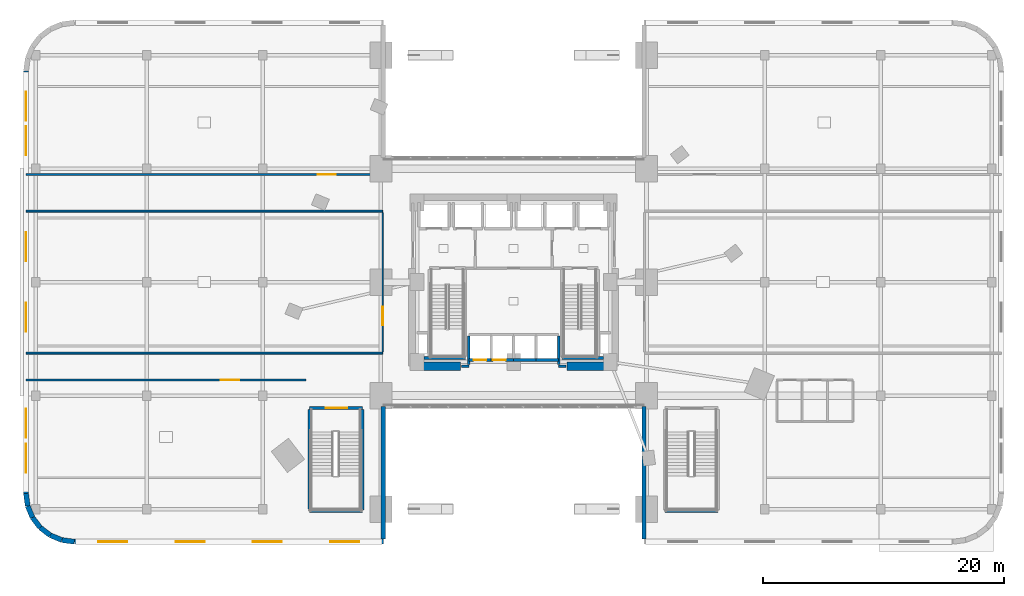
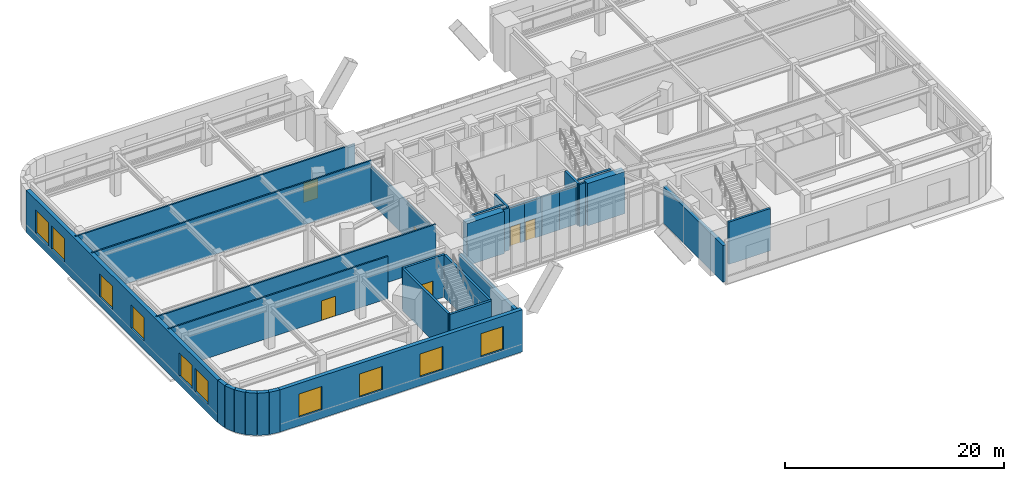
# One storey, part 19 of 26: 32 walls, 10 windows, 6 doors, 16 openings.
"""IFC4 building model written with IfcOpenShell, lengths in metres."""

from ifc_helpers import new_model, si_unit, direction, frame, frame_2d, origin, place, context, subcontext, project, spatial, rectangle, extrude, material, layer, layer_set, type_object, element, fill, save


model = new_model("IFC4")

# Units and contexts
model_context = context("Model", 3, precision=1e-05, world=origin(), true_north=direction((0.0, 1.0)))
body_context = subcontext(model_context, "Body", "Model", "MODEL_VIEW")
ifc_project = project(units=[si_unit("LENGTHUNIT", "METRE"), si_unit("AREAUNIT", "SQUARE_METRE"), si_unit("VOLUMEUNIT", "CUBIC_METRE"), si_unit("PLANEANGLEUNIT", "RADIAN"), si_unit("MASSUNIT", "GRAM", prefix="KILO")], contexts=[model_context])

# Site, building, storey
site_placement = place(None, origin())
site = spatial("IfcSite", under=ifc_project, at=site_placement, CompositionType="ELEMENT")
building_placement = place(site_placement, origin())
building = spatial("IfcBuilding", under=site, at=building_placement, Name="Ndelora Gate Hotel", CompositionType="ELEMENT")
storey_placement = place(building_placement, frame((0.0, 0.0, 6.0)))
storey = spatial("IfcBuildingStorey", under=building, at=storey_placement, Name="L01", CompositionType="ELEMENT", Elevation=6.0)

# Walls
ifc_material_1 = material(Name="Clay Brick Masonry", Category="masonry")
ifc_layer_1 = layer(ifc_material_1, 0.360107421875)
ifc_layer_set_1 = layer_set([ifc_layer_1], Name="Clay Brick Masonry")
wall_type_1 = type_object("IfcWallType", Name="WL-BRICK-360", PredefinedType="SOLIDWALL", material=ifc_layer_set_1)
for number, where, z_axis, x_axis, name in (
    (1, (-10.800048828125, -21.2900390625, 0.0), (0.0, 0.0, 1.0), (0.0, 1.0, 0.0), "L01 Portal Arch Brick Return Wall SW-RET"),
    (2, (10.800048828125, -10.320068359375, 0.0), (0.0, 0.0, 1.0), (0.0, -1.0, 0.0), "L01 Portal Arch Brick Return Wall SE-RET"),
):
    element("IfcWall", number, at=place(storey_placement, frame(where, z_axis=z_axis, x_axis=x_axis)), inside=storey, type_object=wall_type_1, Name=name, PredefinedType="SOLIDWALL", context=body_context, shape_type="SweptSolid", body=[
        extrude(rectangle(XDim=10.969970703125, YDim=0.360107421875, at=frame_2d((5.48486328125, 0.0))), origin(), (0.0, 0.0, 1.0), 4.10009765625),
    ])

# Wall, openings, windows
ifc_layer_2 = layer(ifc_material_1, 0.419921875)
ifc_layer_set_2 = layer_set([ifc_layer_2], Name="Clay Brick Masonry")
wall_type_2 = type_object("IfcWallType", Name="WL-BRICK-420", PredefinedType="SOLIDWALL", material=ifc_layer_set_2)
wall_1_placement = place(storey_placement, frame((-40.39990234375, -17.5, 0.0), z_axis=(0.0, 0.0, 1.0), x_axis=(0.0, 1.0, 0.0)))
wall_1 = element("IfcWall", 3, at=wall_1_placement, inside=storey, type_object=wall_type_2, Name="L01 Exterior Brick Pier-and-Spandrel Wall 22", PredefinedType="SOLIDWALL", context=body_context, shape_type="SweptSolid", body=[
    extrude(rectangle(XDim=35.0, YDim=0.419921875, at=frame_2d((17.5, 0.0))), origin(), (0.0, 0.0, 1.0), 4.719970703125),
])
opening_1_placement = place(wall_1_placement, frame((1.716796875, 0.0, 0.949951171875)))
opening_1 = element("IfcOpeningElement", 4, at=opening_1_placement, cuts=wall_1, Name="Opening W04", PredefinedType="OPENING", context=body_context, shape_type="SweptSolid", body=[
    extrude(rectangle(XDim=2.39990234375, YDim=2.60009765625, at=frame_2d((1.199951171875, 1.300048828125))), frame((0.0, 0.219970703125, 0.0), z_axis=(0.0, -1.0, 0.0), x_axis=(1.0, 0.0, 0.0)), (0.0, 0.0, 1.0), 0.43994140625),
])
opening_2_placement = place(wall_1_placement, frame((4.60009765625, 0.0, 0.949951171875)))
opening_2 = element("IfcOpeningElement", 5, at=opening_2_placement, cuts=wall_1, Name="Opening W04", PredefinedType="OPENING", context=body_context, shape_type="SweptSolid", body=[
    extrude(rectangle(XDim=2.39990234375, YDim=2.60009765625, at=frame_2d((1.199951171875, 1.300048828125))), frame((0.0, 0.219970703125, 0.0), z_axis=(0.0, -1.0, 0.0), x_axis=(1.0, 0.0, 0.0)), (0.0, 0.0, 1.0), 0.43994140625),
])
opening_3_placement = place(wall_1_placement, frame((13.38330078125, 0.0, 0.949951171875)))
opening_3 = element("IfcOpeningElement", 6, at=opening_3_placement, cuts=wall_1, Name="Opening W04", PredefinedType="OPENING", context=body_context, shape_type="SweptSolid", body=[
    extrude(rectangle(XDim=2.39990234375, YDim=2.60009765625, at=frame_2d((1.199951171875, 1.300048828125))), frame((0.0, 0.219970703125, 0.0), z_axis=(0.0, -1.0, 0.0), x_axis=(1.0, 0.0, 0.0)), (0.0, 0.0, 1.0), 0.43994140625),
])
opening_4_placement = place(wall_1_placement, frame((19.216796875, 0.0, 0.949951171875)))
opening_4 = element("IfcOpeningElement", 7, at=opening_4_placement, cuts=wall_1, Name="Opening W04", PredefinedType="OPENING", context=body_context, shape_type="SweptSolid", body=[
    extrude(rectangle(XDim=2.39990234375, YDim=2.60009765625, at=frame_2d((1.199951171875, 1.300048828125))), frame((0.0, 0.219970703125, 0.0), z_axis=(0.0, -1.0, 0.0), x_axis=(1.0, 0.0, 0.0)), (0.0, 0.0, 1.0), 0.43994140625),
])
opening_5_placement = place(wall_1_placement, frame((28.0, 0.0, 0.949951171875)))
opening_5 = element("IfcOpeningElement", 8, at=opening_5_placement, cuts=wall_1, Name="Opening W04", PredefinedType="OPENING", context=body_context, shape_type="SweptSolid", body=[
    extrude(rectangle(XDim=2.39990234375, YDim=2.60009765625, at=frame_2d((1.199951171875, 1.300048828125))), frame((0.0, 0.219970703125, 0.0), z_axis=(0.0, -1.0, 0.0), x_axis=(1.0, 0.0, 0.0)), (0.0, 0.0, 1.0), 0.43994140625),
])
opening_6_placement = place(wall_1_placement, frame((30.88330078125, 0.0, 0.949951171875)))
opening_6 = element("IfcOpeningElement", 9, at=opening_6_placement, cuts=wall_1, Name="Opening W04", PredefinedType="OPENING", context=body_context, shape_type="SweptSolid", body=[
    extrude(rectangle(XDim=2.39990234375, YDim=2.60009765625, at=frame_2d((1.199951171875, 1.300048828125))), frame((0.0, 0.219970703125, 0.0), z_axis=(0.0, -1.0, 0.0), x_axis=(1.0, 0.0, 0.0)), (0.0, 0.0, 1.0), 0.43994140625),
])
ifc_material_2 = material(Name="Insulated Low-E Double Glazing in Bronze Aluminium Frame", Category="aluminium")
window_type = type_object("IfcWindowType", Name="WN-POD-2400", PartitioningType="SINGLE_PANEL", PredefinedType="WINDOW", material=ifc_material_2)
window_1_placement = place(opening_1_placement, origin())
window_1 = element("IfcWindow", 10, at=window_1_placement, inside=storey, type_object=window_type, Name="L01 Deep-Set Podium Brick-Frame Window W04", OverallHeight=2.60009765625, OverallWidth=2.39990234375, PartitioningType="SINGLE_PANEL", PredefinedType="WINDOW", context=body_context, shape_type="SweptSolid", body=[
    extrude(rectangle(XDim=2.39990234375, YDim=2.60009765625, at=frame_2d((1.199951171875, 1.300048828125))), frame((0.0, 0.030029296875, 0.0), z_axis=(0.0, -1.0, 0.0), x_axis=(1.0, 0.0, 0.0)), (0.0, 0.0, 1.0), 0.06005859375),
])
fill(opening_1, window_1)
window_2_placement = place(opening_2_placement, origin())
window_2 = element("IfcWindow", 11, at=window_2_placement, inside=storey, type_object=window_type, Name="L01 Deep-Set Podium Brick-Frame Window W04", OverallHeight=2.60009765625, OverallWidth=2.39990234375, PartitioningType="SINGLE_PANEL", PredefinedType="WINDOW", context=body_context, shape_type="SweptSolid", body=[
    extrude(rectangle(XDim=2.39990234375, YDim=2.60009765625, at=frame_2d((1.199951171875, 1.300048828125))), frame((0.0, 0.030029296875, 0.0), z_axis=(0.0, -1.0, 0.0), x_axis=(1.0, 0.0, 0.0)), (0.0, 0.0, 1.0), 0.06005859375),
])
fill(opening_2, window_2)
window_3_placement = place(opening_3_placement, origin())
window_3 = element("IfcWindow", 12, at=window_3_placement, inside=storey, type_object=window_type, Name="L01 Deep-Set Podium Brick-Frame Window W04", OverallHeight=2.60009765625, OverallWidth=2.39990234375, PartitioningType="SINGLE_PANEL", PredefinedType="WINDOW", context=body_context, shape_type="SweptSolid", body=[
    extrude(rectangle(XDim=2.39990234375, YDim=2.60009765625, at=frame_2d((1.199951171875, 1.300048828125))), frame((0.0, 0.030029296875, 0.0), z_axis=(0.0, -1.0, 0.0), x_axis=(1.0, 0.0, 0.0)), (0.0, 0.0, 1.0), 0.06005859375),
])
fill(opening_3, window_3)
window_4_placement = place(opening_4_placement, origin())
window_4 = element("IfcWindow", 13, at=window_4_placement, inside=storey, type_object=window_type, Name="L01 Deep-Set Podium Brick-Frame Window W04", OverallHeight=2.60009765625, OverallWidth=2.39990234375, PartitioningType="SINGLE_PANEL", PredefinedType="WINDOW", context=body_context, shape_type="SweptSolid", body=[
    extrude(rectangle(XDim=2.39990234375, YDim=2.60009765625, at=frame_2d((1.199951171875, 1.300048828125))), frame((0.0, 0.030029296875, 0.0), z_axis=(0.0, -1.0, 0.0), x_axis=(1.0, 0.0, 0.0)), (0.0, 0.0, 1.0), 0.06005859375),
])
fill(opening_4, window_4)
window_5_placement = place(opening_5_placement, origin())
window_5 = element("IfcWindow", 14, at=window_5_placement, inside=storey, type_object=window_type, Name="L01 Deep-Set Podium Brick-Frame Window W04", OverallHeight=2.60009765625, OverallWidth=2.39990234375, PartitioningType="SINGLE_PANEL", PredefinedType="WINDOW", context=body_context, shape_type="SweptSolid", body=[
    extrude(rectangle(XDim=2.39990234375, YDim=2.60009765625, at=frame_2d((1.199951171875, 1.300048828125))), frame((0.0, 0.030029296875, 0.0), z_axis=(0.0, -1.0, 0.0), x_axis=(1.0, 0.0, 0.0)), (0.0, 0.0, 1.0), 0.06005859375),
])
fill(opening_5, window_5)
window_6_placement = place(opening_6_placement, origin())
window_6 = element("IfcWindow", 15, at=window_6_placement, inside=storey, type_object=window_type, Name="L01 Deep-Set Podium Brick-Frame Window W04", OverallHeight=2.60009765625, OverallWidth=2.39990234375, PartitioningType="SINGLE_PANEL", PredefinedType="WINDOW", context=body_context, shape_type="SweptSolid", body=[
    extrude(rectangle(XDim=2.39990234375, YDim=2.60009765625, at=frame_2d((1.199951171875, 1.300048828125))), frame((0.0, 0.030029296875, 0.0), z_axis=(0.0, -1.0, 0.0), x_axis=(1.0, 0.0, 0.0)), (0.0, 0.0, 1.0), 0.06005859375),
])
fill(opening_6, window_6)

# Walls
wall_2_placement = place(storey_placement, frame((-40.263671875, -18.535400390625, 0.0), z_axis=(0.0, 0.0, 1.0), x_axis=(-0.130448465198, 0.991455091231, 0.0)))
element("IfcWall", 16, at=wall_2_placement, inside=storey, type_object=wall_type_2, Name="L01 Exterior Brick Pier-and-Spandrel Wall 23", PredefinedType="SOLIDWALL", context=body_context, shape_type="SweptSolid", body=[
    extrude(rectangle(XDim=1.04443359375, YDim=0.419921875, at=frame_2d((0.522216796875, 0.0))), origin(), (0.0, 0.0, 1.0), 4.719970703125),
])
wall_3_placement = place(storey_placement, frame((-39.864013671875, -19.5, 0.0), z_axis=(0.0, 0.0, 1.0), x_axis=(-0.382771688877, 0.923842970528, 0.0)))
element("IfcWall", 17, at=wall_3_placement, inside=storey, type_object=wall_type_2, Name="L01 Exterior Brick Pier-and-Spandrel Wall 24", PredefinedType="SOLIDWALL", context=body_context, shape_type="SweptSolid", body=[
    extrude(rectangle(XDim=1.044189453125, YDim=0.419921875, at=frame_2d((0.52197265625, 0.0))), origin(), (0.0, 0.0, 1.0), 4.719970703125),
])
wall_4_placement = place(storey_placement, frame((-39.228515625, -20.328369140625, 0.0), z_axis=(0.0, 0.0, 1.0), x_axis=(-0.608681879412, 0.793414374508, 0.0)))
element("IfcWall", 18, at=wall_4_placement, inside=storey, type_object=wall_type_2, Name="L01 Exterior Brick Pier-and-Spandrel Wall 25", PredefinedType="SOLIDWALL", context=body_context, shape_type="SweptSolid", body=[
    extrude(rectangle(XDim=1.0439453125, YDim=0.419921875, at=frame_2d((0.52197265625, 0.0))), origin(), (0.0, 0.0, 1.0), 4.719970703125),
])
wall_5_placement = place(storey_placement, frame((-38.39990234375, -20.964111328125, 0.0), z_axis=(0.0, 0.0, 1.0), x_axis=(-0.793388088797, 0.608716141198, 0.0)))
element("IfcWall", 19, at=wall_5_placement, inside=storey, type_object=wall_type_2, Name="L01 Exterior Brick Pier-and-Spandrel Wall 26", PredefinedType="SOLIDWALL", context=body_context, shape_type="SweptSolid", body=[
    extrude(rectangle(XDim=1.04443359375, YDim=0.419921875, at=frame_2d((0.522216796875, 0.0))), origin(), (0.0, 0.0, 1.0), 4.719970703125),
])
wall_6_placement = place(storey_placement, frame((-37.435302734375, -21.36376953125, 0.0), z_axis=(0.0, 0.0, 1.0), x_axis=(-0.923842970528, 0.382771688877, 0.0)))
element("IfcWall", 20, at=wall_6_placement, inside=storey, type_object=wall_type_2, Name="L01 Exterior Brick Pier-and-Spandrel Wall 27", PredefinedType="SOLIDWALL", context=body_context, shape_type="SweptSolid", body=[
    extrude(rectangle(XDim=1.044189453125, YDim=0.419921875, at=frame_2d((0.52197265625, 0.0))), origin(), (0.0, 0.0, 1.0), 4.719970703125),
])
wall_7_placement = place(storey_placement, frame((-36.39990234375, -21.5, 0.0), z_axis=(0.0, 0.0, 1.0), x_axis=(-0.991455091231, 0.130448465198, 0.0)))
element("IfcWall", 21, at=wall_7_placement, inside=storey, type_object=wall_type_2, Name="L01 Exterior Brick Pier-and-Spandrel Wall 28", PredefinedType="SOLIDWALL", context=body_context, shape_type="SweptSolid", body=[
    extrude(rectangle(XDim=1.04443359375, YDim=0.419921875, at=frame_2d((0.522216796875, 0.0))), origin(), (0.0, 0.0, 1.0), 4.719970703125),
])

# Wall, openings, windows
wall_8_placement = place(storey_placement, frame((-10.800048828125, -21.5, 0.0), z_axis=(0.0, 0.0, 1.0), x_axis=(-1.0, 0.0, 0.0)))
wall_8 = element("IfcWall", 22, at=wall_8_placement, inside=storey, type_object=wall_type_2, Name="L01 Exterior Brick Pier-and-Spandrel Wall 29", PredefinedType="SOLIDWALL", context=body_context, shape_type="SweptSolid", body=[
    extrude(rectangle(XDim=25.599853515625, YDim=0.419921875, at=frame_2d((12.7998046875, 0.0))), origin(), (0.0, 0.0, 1.0), 4.719970703125),
])
opening_7_placement = place(wall_8_placement, frame((2.0, 0.0, 0.949951171875)))
opening_7 = element("IfcOpeningElement", 23, at=opening_7_placement, cuts=wall_8, Name="Opening W04", PredefinedType="OPENING", context=body_context, shape_type="SweptSolid", body=[
    extrude(rectangle(XDim=2.39990234375, YDim=2.60009765625, at=frame_2d((1.199951171875, 1.300048828125))), frame((0.0, 0.219970703125, 0.0), z_axis=(0.0, -1.0, 0.0), x_axis=(1.0, 0.0, 0.0)), (0.0, 0.0, 1.0), 0.43994140625),
])
opening_8_placement = place(wall_8_placement, frame((8.39990234375, 0.0, 0.949951171875)))
opening_8 = element("IfcOpeningElement", 24, at=opening_8_placement, cuts=wall_8, Name="Opening W04", PredefinedType="OPENING", context=body_context, shape_type="SweptSolid", body=[
    extrude(rectangle(XDim=2.39990234375, YDim=2.60009765625, at=frame_2d((1.199951171875, 1.300048828125))), frame((0.0, 0.219970703125, 0.0), z_axis=(0.0, -1.0, 0.0), x_axis=(1.0, 0.0, 0.0)), (0.0, 0.0, 1.0), 0.43994140625),
])
opening_9_placement = place(wall_8_placement, frame((14.800048828125, 0.0, 0.949951171875)))
opening_9 = element("IfcOpeningElement", 25, at=opening_9_placement, cuts=wall_8, Name="Opening W04", PredefinedType="OPENING", context=body_context, shape_type="SweptSolid", body=[
    extrude(rectangle(XDim=2.39990234375, YDim=2.60009765625, at=frame_2d((1.199951171875, 1.300048828125))), frame((0.0, 0.219970703125, 0.0), z_axis=(0.0, -1.0, 0.0), x_axis=(1.0, 0.0, 0.0)), (0.0, 0.0, 1.0), 0.43994140625),
])
opening_10_placement = place(wall_8_placement, frame((21.199951171875, 0.0, 0.949951171875)))
opening_10 = element("IfcOpeningElement", 26, at=opening_10_placement, cuts=wall_8, Name="Opening W04", PredefinedType="OPENING", context=body_context, shape_type="SweptSolid", body=[
    extrude(rectangle(XDim=2.39990234375, YDim=2.60009765625, at=frame_2d((1.199951171875, 1.300048828125))), frame((0.0, 0.219970703125, 0.0), z_axis=(0.0, -1.0, 0.0), x_axis=(1.0, 0.0, 0.0)), (0.0, 0.0, 1.0), 0.43994140625),
])
window_7_placement = place(opening_7_placement, origin())
window_7 = element("IfcWindow", 27, at=window_7_placement, inside=storey, type_object=window_type, Name="L01 Deep-Set Podium Brick-Frame Window W04", OverallHeight=2.60009765625, OverallWidth=2.39990234375, PartitioningType="SINGLE_PANEL", PredefinedType="WINDOW", context=body_context, shape_type="SweptSolid", body=[
    extrude(rectangle(XDim=2.39990234375, YDim=2.60009765625, at=frame_2d((1.199951171875, 1.300048828125))), frame((0.0, 0.030029296875, 0.0), z_axis=(0.0, -1.0, 0.0), x_axis=(1.0, 0.0, 0.0)), (0.0, 0.0, 1.0), 0.06005859375),
])
fill(opening_7, window_7)
window_8_placement = place(opening_8_placement, origin())
window_8 = element("IfcWindow", 28, at=window_8_placement, inside=storey, type_object=window_type, Name="L01 Deep-Set Podium Brick-Frame Window W04", OverallHeight=2.60009765625, OverallWidth=2.39990234375, PartitioningType="SINGLE_PANEL", PredefinedType="WINDOW", context=body_context, shape_type="SweptSolid", body=[
    extrude(rectangle(XDim=2.39990234375, YDim=2.60009765625, at=frame_2d((1.199951171875, 1.300048828125))), frame((0.0, 0.030029296875, 0.0), z_axis=(0.0, -1.0, 0.0), x_axis=(1.0, 0.0, 0.0)), (0.0, 0.0, 1.0), 0.06005859375),
])
fill(opening_8, window_8)
window_9_placement = place(opening_9_placement, origin())
window_9 = element("IfcWindow", 29, at=window_9_placement, inside=storey, type_object=window_type, Name="L01 Deep-Set Podium Brick-Frame Window W04", OverallHeight=2.60009765625, OverallWidth=2.39990234375, PartitioningType="SINGLE_PANEL", PredefinedType="WINDOW", context=body_context, shape_type="SweptSolid", body=[
    extrude(rectangle(XDim=2.39990234375, YDim=2.60009765625, at=frame_2d((1.199951171875, 1.300048828125))), frame((0.0, 0.030029296875, 0.0), z_axis=(0.0, -1.0, 0.0), x_axis=(1.0, 0.0, 0.0)), (0.0, 0.0, 1.0), 0.06005859375),
])
fill(opening_9, window_9)
window_10_placement = place(opening_10_placement, origin())
window_10 = element("IfcWindow", 30, at=window_10_placement, inside=storey, type_object=window_type, Name="L01 Deep-Set Podium Brick-Frame Window W04", OverallHeight=2.60009765625, OverallWidth=2.39990234375, PartitioningType="SINGLE_PANEL", PredefinedType="WINDOW", context=body_context, shape_type="SweptSolid", body=[
    extrude(rectangle(XDim=2.39990234375, YDim=2.60009765625, at=frame_2d((1.199951171875, 1.300048828125))), frame((0.0, 0.030029296875, 0.0), z_axis=(0.0, -1.0, 0.0), x_axis=(1.0, 0.0, 0.0)), (0.0, 0.0, 1.0), 0.06005859375),
])
fill(opening_10, window_10)

# Walls
ifc_material_3 = material(Name="Concrete C60/75", Category="concrete")
ifc_layer_3 = layer(ifc_material_3, 0.699951171875)
ifc_layer_set_3 = layer_set([ifc_layer_3], Name="Concrete C60/75")
wall_type_3 = type_object("IfcWallType", Name="WL-CORE-700", PredefinedType="SHEAR", material=ifc_layer_set_3)
for number, where, z_axis, x_axis, name in (
    (31, (-8.35009765625, -6.949951171875, 0.0), (0.0, 0.0, 1.0), (1.0, 0.0, 0.0), "L01 Core Shear Wall S-W"),
    (32, (4.39990234375, -6.949951171875, 0.0), (0.0, 0.0, 1.0), (1.0, 0.0, 0.0), "L01 Core Shear Wall S-E"),
):
    element("IfcWall", number, at=place(storey_placement, frame(where, z_axis=z_axis, x_axis=x_axis)), inside=storey, type_object=wall_type_3, Name=name, PredefinedType="SHEAR", context=body_context, shape_type="SweptSolid", body=[
        extrude(rectangle(XDim=3.9501953125, YDim=0.699951171875, at=frame_2d((1.97509765625, 0.0))), origin(), (0.0, 0.0, 1.0), 4.719970703125),
    ])
ifc_material_4 = material(Name="Concrete C40/50", Category="concrete")
ifc_layer_4 = layer(ifc_material_4, 0.199951171875)
ifc_layer_set_4 = layer_set([ifc_layer_4], Name="Concrete C40/50")
wall_type_4 = type_object("IfcWallType", Name="WL-FIRE-200", PredefinedType="PARTITIONING", material=ifc_layer_set_4)
for number, where, z_axis, x_axis, name in (
    (33, (-4.320068359375, -6.949951171875, 0.0), (0.0, 0.0, 1.0), (1.0, 0.0, 0.0), "L01 Interior Wall IW-2"),
    (34, (3.719970703125, -6.949951171875, 0.0), (0.0, 0.0, 1.0), (1.0, 0.0, 0.0), "L01 Interior Wall IW-2"),
):
    element("IfcWall", number, at=place(storey_placement, frame(where, z_axis=z_axis, x_axis=x_axis)), inside=storey, type_object=wall_type_4, Name=name, PredefinedType="PARTITIONING", context=body_context, shape_type="SweptSolid", body=[
        extrude(rectangle(XDim=0.60009765625, YDim=0.199951171875, at=frame_2d((0.300048828125, 0.0))), origin(), (0.0, 0.0, 1.0), 4.719970703125),
    ])
ifc_material_5 = material(Name="Fire-Rated Gypsum Stud Partition", Category="gypsum")
ifc_layer_5 = layer(ifc_material_5, 0.159912109375)
ifc_layer_set_5 = layer_set([ifc_layer_5], Name="Fire-Rated Gypsum Stud Partition")
wall_type_5 = type_object("IfcWallType", Name="WL-PART-160", PredefinedType="PARTITIONING", material=ifc_layer_set_5)
for number, where, z_axis, x_axis, name in (
    (35, (-10.85009765625, 5.8798828125, 0.0), (0.0, 0.0, 1.0), (-1.0, 0.0, 0.0), "L01 Interior Wall IW-4"),
    (36, (-40.39990234375, -5.8798828125, 0.0), (0.0, 0.0, 1.0), (1.0, 0.0, 0.0), "L01 Interior Wall IW-4"),
):
    element("IfcWall", number, at=place(storey_placement, frame(where, z_axis=z_axis, x_axis=x_axis)), inside=storey, type_object=wall_type_5, Name=name, PredefinedType="PARTITIONING", context=body_context, shape_type="SweptSolid", body=[
        extrude(rectangle(XDim=29.5498046875, YDim=0.159912109375, at=frame_2d((14.77490234375, 0.0))), origin(), (0.0, 0.0, 1.0), 4.719970703125),
    ])

# Wall, opening, door
wall_9_placement = place(storey_placement, frame((-10.85009765625, -5.780029296875, 0.0), z_axis=(0.0, 0.0, 1.0), x_axis=(0.0, 1.0, 0.0)))
wall_9 = element("IfcWall", 37, at=wall_9_placement, inside=storey, type_object=wall_type_5, Name="L01 Interior Wall IW-4", PredefinedType="PARTITIONING", context=body_context, shape_type="SweptSolid", body=[
    extrude(rectangle(XDim=11.56005859375, YDim=0.159912109375, at=frame_2d((5.780029296875, 0.0))), origin(), (0.0, 0.0, 1.0), 4.10009765625),
])
opening_11_placement = place(wall_9_placement, frame((2.22998046875, 0.0, 0.0)))
opening_11 = element("IfcOpeningElement", 38, at=opening_11_placement, cuts=wall_9, Name="Opening D06", PredefinedType="OPENING", context=body_context, shape_type="SweptSolid", body=[
    extrude(rectangle(XDim=1.5, YDim=2.199951171875, at=frame_2d((0.75, 1.10009765625))), frame((0.0, 0.08984375, 0.0), z_axis=(0.0, -1.0, 0.0), x_axis=(1.0, 0.0, 0.0)), (0.0, 0.0, 1.0), 0.179931640625),
])
ifc_material_6 = material(Name="Podium Salon Double Leaf Door", Category="wood")
door_type_1 = type_object("IfcDoorType", Name="DR-POD-1500", OperationType="DOUBLE_DOOR_SINGLE_SWING", PredefinedType="DOOR", material=ifc_material_6)
door_1_placement = place(opening_11_placement, origin())
door_1 = element("IfcDoor", 39, at=door_1_placement, inside=storey, type_object=door_type_1, Name="L01 Portal Arch Mezzanine Salon Door", OperationType="DOUBLE_DOOR_SINGLE_SWING", OverallHeight=2.199951171875, OverallWidth=1.5, PredefinedType="DOOR", context=body_context, shape_type="SweptSolid", body=[
    extrude(rectangle(XDim=1.5, YDim=2.199951171875, at=frame_2d((0.75, 1.10009765625))), frame((0.0, 0.02490234375, 0.0), z_axis=(0.0, -1.0, 0.0), x_axis=(1.0, 0.0, 0.0)), (0.0, 0.0, 1.0), 0.050048828125),
])
fill(opening_11, door_1)

wall_10_placement = place(storey_placement, frame((-40.39990234375, 8.919921875, 0.0), z_axis=(0.0, 0.0, 1.0), x_axis=(1.0, 0.0, 0.0)))
wall_10 = element("IfcWall", 40, at=wall_10_placement, inside=storey, type_object=wall_type_5, Name="L01 Interior Wall IW-4", PredefinedType="PARTITIONING", context=body_context, shape_type="SweptSolid", body=[
    extrude(rectangle(XDim=29.5498046875, YDim=0.159912109375, at=frame_2d((14.77490234375, 0.0))), origin(), (0.0, 0.0, 1.0), 4.719970703125),
])
opening_12_placement = place(wall_10_placement, frame((24.14990234375, 0.0, 0.0)))
opening_12 = element("IfcOpeningElement", 41, at=opening_12_placement, cuts=wall_10, Name="Opening D06", PredefinedType="OPENING", context=body_context, shape_type="SweptSolid", body=[
    extrude(rectangle(XDim=1.5, YDim=2.199951171875, at=frame_2d((0.75, 1.10009765625))), frame((0.0, 0.08984375, 0.0), z_axis=(0.0, -1.0, 0.0), x_axis=(1.0, 0.0, 0.0)), (0.0, 0.0, 1.0), 0.179931640625),
])
door_2_placement = place(opening_12_placement, origin())
door_2 = element("IfcDoor", 42, at=door_2_placement, inside=storey, type_object=door_type_1, Name="L01 North-West Reading Library Door", OperationType="DOUBLE_DOOR_SINGLE_SWING", OverallHeight=2.199951171875, OverallWidth=1.5, PredefinedType="DOOR", context=body_context, shape_type="SweptSolid", body=[
    extrude(rectangle(XDim=1.5, YDim=2.199951171875, at=frame_2d((0.75, 1.10009765625))), frame((0.0, 0.02490234375, 0.0), z_axis=(0.0, -1.0, 0.0), x_axis=(1.0, 0.0, 0.0)), (0.0, 0.0, 1.0), 0.050048828125),
])
fill(opening_12, door_2)

wall_11_placement = place(storey_placement, frame((-17.199951171875, -8.1201171875, 0.0), z_axis=(0.0, 0.0, 1.0), x_axis=(-1.0, 0.0, 0.0)))
wall_11 = element("IfcWall", 43, at=wall_11_placement, inside=storey, type_object=wall_type_5, Name="L01 Interior Wall IW-4", PredefinedType="PARTITIONING", context=body_context, shape_type="SweptSolid", body=[
    extrude(rectangle(XDim=23.199951171875, YDim=0.159912109375, at=frame_2d((11.60009765625, 0.0))), origin(), (0.0, 0.0, 1.0), 4.719970703125),
])
opening_13_placement = place(wall_11_placement, frame((5.550048828125, 0.0, 0.0)))
opening_13 = element("IfcOpeningElement", 44, at=opening_13_placement, cuts=wall_11, Name="Opening D06", PredefinedType="OPENING", context=body_context, shape_type="SweptSolid", body=[
    extrude(rectangle(XDim=1.5, YDim=2.199951171875, at=frame_2d((0.75, 1.10009765625))), frame((0.0, 0.08984375, 0.0), z_axis=(0.0, -1.0, 0.0), x_axis=(1.0, 0.0, 0.0)), (0.0, 0.0, 1.0), 0.179931640625),
])
door_3_placement = place(opening_13_placement, origin())
door_3 = element("IfcDoor", 45, at=door_3_placement, inside=storey, type_object=door_type_1, Name="L01 West Mezzanine VIP Dining Room Door", OperationType="DOUBLE_DOOR_SINGLE_SWING", OverallHeight=2.199951171875, OverallWidth=1.5, PredefinedType="DOOR", context=body_context, shape_type="SweptSolid", body=[
    extrude(rectangle(XDim=1.5, YDim=2.199951171875, at=frame_2d((0.75, 1.10009765625))), frame((0.0, 0.02490234375, 0.0), z_axis=(0.0, -1.0, 0.0), x_axis=(1.0, 0.0, 0.0)), (0.0, 0.0, 1.0), 0.050048828125),
])
fill(opening_13, door_3)

ifc_layer_6 = layer(ifc_material_4, 0.219970703125)
ifc_layer_set_6 = layer_set([ifc_layer_6], Name="Concrete C40/50")
wall_type_6 = type_object("IfcWallType", Name="WL-SHAFT-220", PredefinedType="PARTITIONING", material=ifc_layer_set_6)
wall_12_placement = place(storey_placement, frame((-3.719970703125, -6.449951171875, 0.0), z_axis=(0.0, 0.0, 1.0), x_axis=(1.0, 0.0, 0.0)))
wall_12 = element("IfcWall", 46, at=wall_12_placement, inside=storey, type_object=wall_type_6, Name="L01 Interior Wall IW-1", PredefinedType="PARTITIONING", context=body_context, shape_type="SweptSolid", body=[
    extrude(rectangle(XDim=1.85986328125, YDim=0.219970703125, at=frame_2d((0.929931640625, 0.0))), origin(), (0.0, 0.0, 1.0), 4.300048828125),
])
opening_14_placement = place(wall_12_placement, frame((0.39990234375, 0.0, 0.0)))
opening_14 = element("IfcOpeningElement", 47, at=opening_14_placement, cuts=wall_12, Name="Opening LD1", PredefinedType="OPENING", context=body_context, shape_type="SweptSolid", body=[
    extrude(rectangle(XDim=1.06005859375, YDim=2.14990234375, at=frame_2d((0.530029296875, 1.074951171875))), frame((0.0, 0.1201171875, 0.0), z_axis=(0.0, -1.0, 0.0), x_axis=(1.0, 0.0, 0.0)), (0.0, 0.0, 1.0), 0.239990234375),
])
ifc_material_7 = material(Name="Brushed Bronze Stainless Lift Landing Door", Category="metal")
door_type_2 = type_object("IfcDoorType", Name="DR-LD1", OperationType="DOUBLE_DOOR_SLIDING", PredefinedType="DOOR", material=ifc_material_7)
door_4_placement = place(opening_14_placement, origin())
door_4 = element("IfcDoor", 48, at=door_4_placement, inside=storey, type_object=door_type_2, Name="L01 Lift Landing Sliding Door P1A", OperationType="DOUBLE_DOOR_SLIDING", OverallHeight=2.14990234375, OverallWidth=1.06005859375, PredefinedType="DOOR", context=body_context, shape_type="SweptSolid", body=[
    extrude(rectangle(XDim=1.06005859375, YDim=2.14990234375, at=frame_2d((0.530029296875, 1.074951171875))), frame((0.0, 0.02490234375, 0.0), z_axis=(0.0, -1.0, 0.0), x_axis=(1.0, 0.0, 0.0)), (0.0, 0.0, 1.0), 0.050048828125),
])
fill(opening_14, door_4)

# Wall
wall_13_placement = place(storey_placement, frame((-3.719970703125, -6.830078125, 0.0), z_axis=(0.0, 0.0, 1.0), x_axis=(0.0, 1.0, 0.0)))
element("IfcWall", 49, at=wall_13_placement, inside=storey, type_object=wall_type_6, Name="L01 Interior Wall IW-1", PredefinedType="PARTITIONING", context=body_context, shape_type="SweptSolid", body=[
    extrude(rectangle(XDim=2.360107421875, YDim=0.219970703125, at=frame_2d((1.18017578125, 0.0))), origin(), (0.0, 0.0, 1.0), 4.719970703125),
])

# Wall, opening, door
wall_14_placement = place(storey_placement, frame((-1.860107421875, -6.449951171875, 0.0), z_axis=(0.0, 0.0, 1.0), x_axis=(1.0, 0.0, 0.0)))
wall_14 = element("IfcWall", 50, at=wall_14_placement, inside=storey, type_object=wall_type_6, Name="L01 Interior Wall IW-1", PredefinedType="PARTITIONING", context=body_context, shape_type="SweptSolid", body=[
    extrude(rectangle(XDim=1.860107421875, YDim=0.219970703125, at=frame_2d((0.93017578125, 0.0))), origin(), (0.0, 0.0, 1.0), 4.300048828125),
])
opening_15_placement = place(wall_14_placement, frame((0.139892578125, 0.0, 0.0)))
opening_15 = element("IfcOpeningElement", 51, at=opening_15_placement, cuts=wall_14, Name="Opening LD1", PredefinedType="OPENING", context=body_context, shape_type="SweptSolid", body=[
    extrude(rectangle(XDim=1.06005859375, YDim=2.14990234375, at=frame_2d((0.530029296875, 1.074951171875))), frame((0.0, 0.1201171875, 0.0), z_axis=(0.0, -1.0, 0.0), x_axis=(1.0, 0.0, 0.0)), (0.0, 0.0, 1.0), 0.239990234375),
])
door_5_placement = place(opening_15_placement, origin())
door_5 = element("IfcDoor", 52, at=door_5_placement, inside=storey, type_object=door_type_2, Name="L01 Lift Landing Sliding Door P1B", OperationType="DOUBLE_DOOR_SLIDING", OverallHeight=2.14990234375, OverallWidth=1.06005859375, PredefinedType="DOOR", context=body_context, shape_type="SweptSolid", body=[
    extrude(rectangle(XDim=1.06005859375, YDim=2.14990234375, at=frame_2d((0.530029296875, 1.074951171875))), frame((0.0, 0.02490234375, 0.0), z_axis=(0.0, -1.0, 0.0), x_axis=(1.0, 0.0, 0.0)), (0.0, 0.0, 1.0), 0.050048828125),
])
fill(opening_15, door_5)

# Walls
wall_15_placement = place(storey_placement, frame((0.0, -6.449951171875, 0.0), z_axis=(0.0, 0.0, 1.0), x_axis=(1.0, 0.0, 0.0)))
element("IfcWall", 53, at=wall_15_placement, inside=storey, type_object=wall_type_6, Name="L01 Interior Wall IW-1", PredefinedType="PARTITIONING", context=body_context, shape_type="SweptSolid", body=[
    extrude(rectangle(XDim=1.860107421875, YDim=0.219970703125, at=frame_2d((0.93017578125, 0.0))), origin(), (0.0, 0.0, 1.0), 4.300048828125),
])
wall_16_placement = place(storey_placement, frame((1.860107421875, -6.449951171875, 0.0), z_axis=(0.0, 0.0, 1.0), x_axis=(1.0, 0.0, 0.0)))
element("IfcWall", 54, at=wall_16_placement, inside=storey, type_object=wall_type_6, Name="L01 Interior Wall IW-1", PredefinedType="PARTITIONING", context=body_context, shape_type="SweptSolid", body=[
    extrude(rectangle(XDim=1.85986328125, YDim=0.219970703125, at=frame_2d((0.929931640625, 0.0))), origin(), (0.0, 0.0, 1.0), 4.300048828125),
])
wall_17_placement = place(storey_placement, frame((3.719970703125, -6.830078125, 0.0), z_axis=(0.0, 0.0, 1.0), x_axis=(0.0, 1.0, 0.0)))
element("IfcWall", 55, at=wall_17_placement, inside=storey, type_object=wall_type_6, Name="L01 Interior Wall IW-1", PredefinedType="PARTITIONING", context=body_context, shape_type="SweptSolid", body=[
    extrude(rectangle(XDim=2.360107421875, YDim=0.219970703125, at=frame_2d((1.18017578125, 0.0))), origin(), (0.0, 0.0, 1.0), 4.719970703125),
])
ifc_material_8 = material(Name="Concrete C50/60", Category="concrete")
ifc_layer_7 = layer(ifc_material_8, 0.239990234375)
ifc_layer_set_7 = layer_set([ifc_layer_7], Name="Concrete C50/60")
wall_type_7 = type_object("IfcWallType", Name="WL-STAIR-240", PredefinedType="SHEAR", material=ifc_layer_set_7)
for number, where, z_axis, x_axis, name in (
    (56, (-7.425048828125, -6.27001953125, 0.0), (0.0, 0.0, 1.0), (1.0, 0.0, 0.0), "L01 Stair Core Shear Wall SW-ST"),
    (57, (4.010009765625, -6.27001953125, 0.0), (0.0, 0.0, 1.0), (1.0, 0.0, 0.0), "L01 Stair Core Shear Wall SW-ST"),
):
    element("IfcWall", number, at=place(storey_placement, frame(where, z_axis=z_axis, x_axis=x_axis)), inside=storey, type_object=wall_type_7, Name=name, PredefinedType="SHEAR", context=body_context, shape_type="SweptSolid", body=[
        extrude(rectangle(XDim=3.4150390625, YDim=0.239990234375, at=frame_2d((1.70751953125, 0.0))), origin(), (0.0, 0.0, 1.0), 4.719970703125),
    ])
for number, where, z_axis, x_axis, name in (
    (58, (-16.919921875, -18.860107421875, 0.0), (0.0, 0.0, 1.0), (0.0, 1.0, 0.0), "L01 Stair Core Shear Wall SW-ST"),
    (59, (-12.5400390625, -18.860107421875, 0.0), (0.0, 0.0, 1.0), (0.0, 1.0, 0.0), "L01 Stair Core Shear Wall SW-ST"),
):
    element("IfcWall", number, at=place(storey_placement, frame(where, z_axis=z_axis, x_axis=x_axis)), inside=storey, type_object=wall_type_7, Name=name, PredefinedType="SHEAR", context=body_context, shape_type="SweptSolid", body=[
        extrude(rectangle(XDim=8.320068359375, YDim=0.239990234375, at=frame_2d((4.16015625, 0.0))), origin(), (0.0, 0.0, 1.0), 4.719970703125),
    ])
wall_18_placement = place(storey_placement, frame((-16.919921875, -18.969970703125, 0.0), z_axis=(0.0, 0.0, 1.0), x_axis=(1.0, 0.0, 0.0)))
element("IfcWall", 60, at=wall_18_placement, inside=storey, type_object=wall_type_7, Name="L01 Stair Core Shear Wall SW-ST", PredefinedType="SHEAR", context=body_context, shape_type="SweptSolid", body=[
    extrude(rectangle(XDim=4.3798828125, YDim=0.239990234375, at=frame_2d((2.18994140625, 0.0))), origin(), (0.0, 0.0, 1.0), 4.719970703125),
])

# Wall, opening, door
wall_19_placement = place(storey_placement, frame((-12.5400390625, -10.429931640625, 0.0), z_axis=(0.0, 0.0, 1.0), x_axis=(-1.0, 0.0, 0.0)))
wall_19 = element("IfcWall", 61, at=wall_19_placement, inside=storey, type_object=wall_type_7, Name="L01 Stair Core Shear Wall SW-ST", PredefinedType="SHEAR", context=body_context, shape_type="SweptSolid", body=[
    extrude(rectangle(XDim=4.3798828125, YDim=0.239990234375, at=frame_2d((2.18994140625, 0.0))), origin(), (0.0, 0.0, 1.0), 4.719970703125),
])
opening_16_placement = place(wall_19_placement, frame((1.25, 0.0, 0.0)))
opening_16 = element("IfcOpeningElement", 62, at=opening_16_placement, cuts=wall_19, Name="Opening FD2", PredefinedType="OPENING", context=body_context, shape_type="SweptSolid", body=[
    extrude(rectangle(XDim=1.800048828125, YDim=2.199951171875, at=frame_2d((0.89990234375, 1.10009765625))), frame((0.0, 0.1298828125, 0.0), z_axis=(0.0, -1.0, 0.0), x_axis=(1.0, 0.0, 0.0)), (0.0, 0.0, 1.0), 0.260009765625),
])
ifc_material_9 = material(Name="Fire-Rated Double Exit Door", Category="wood")
door_type_3 = type_object("IfcDoorType", Name="DR-DBL-1800", OperationType="DOUBLE_DOOR_SINGLE_SWING", PredefinedType="DOOR", material=ifc_material_9)
door_6_placement = place(opening_16_placement, origin())
door_6 = element("IfcDoor", 63, at=door_6_placement, inside=storey, type_object=door_type_3, Name="L01 Ballroom Stair ST3A Door", OperationType="DOUBLE_DOOR_SINGLE_SWING", OverallHeight=2.199951171875, OverallWidth=1.800048828125, PredefinedType="DOOR", context=body_context, shape_type="SweptSolid", body=[
    extrude(rectangle(XDim=1.800048828125, YDim=2.199951171875, at=frame_2d((0.89990234375, 1.10009765625))), frame((0.0, 0.02490234375, 0.0), z_axis=(0.0, -1.0, 0.0), x_axis=(1.0, 0.0, 0.0)), (0.0, 0.0, 1.0), 0.050048828125),
])
fill(opening_16, door_6)

# Wall
wall_20_placement = place(storey_placement, frame((12.5400390625, -18.969970703125, 0.0), z_axis=(0.0, 0.0, 1.0), x_axis=(1.0, 0.0, 0.0)))
element("IfcWall", 64, at=wall_20_placement, inside=storey, type_object=wall_type_7, Name="L01 Stair Core Shear Wall SW-ST", PredefinedType="SHEAR", context=body_context, shape_type="SweptSolid", body=[
    extrude(rectangle(XDim=4.3798828125, YDim=0.239990234375, at=frame_2d((2.18994140625, 0.0))), origin(), (0.0, 0.0, 1.0), 4.719970703125),
])

save(model, "model.ifc")
